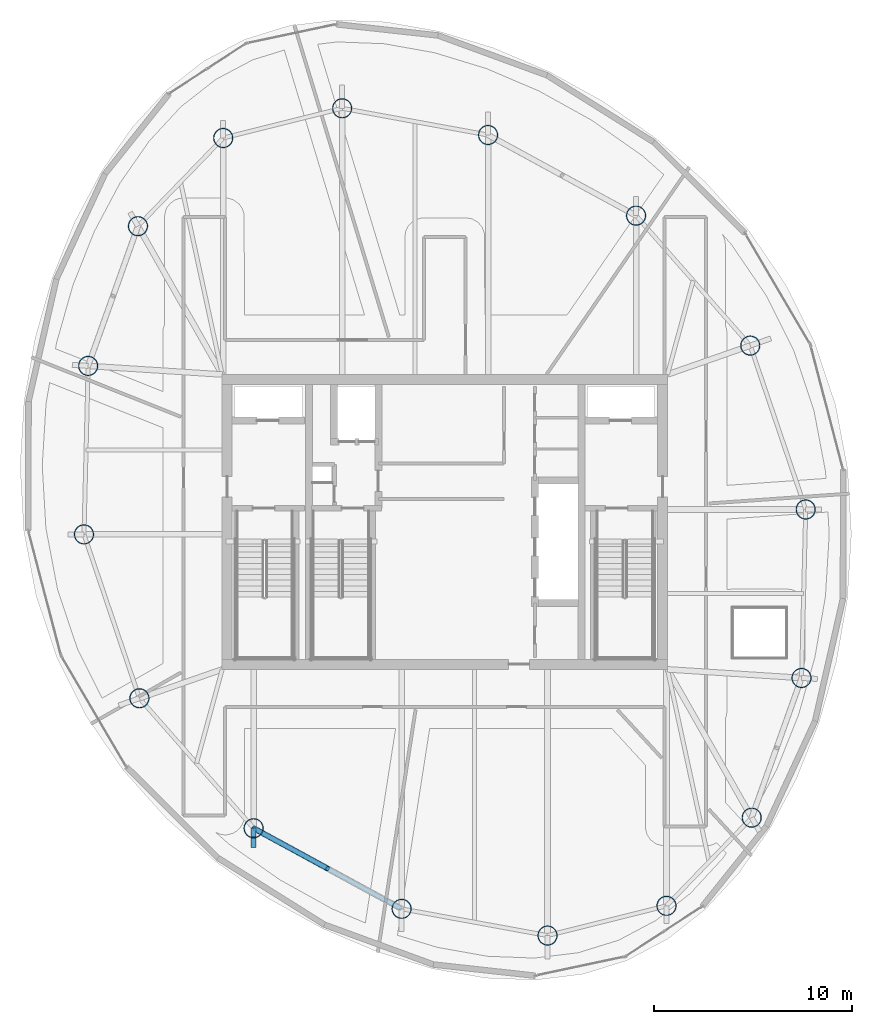
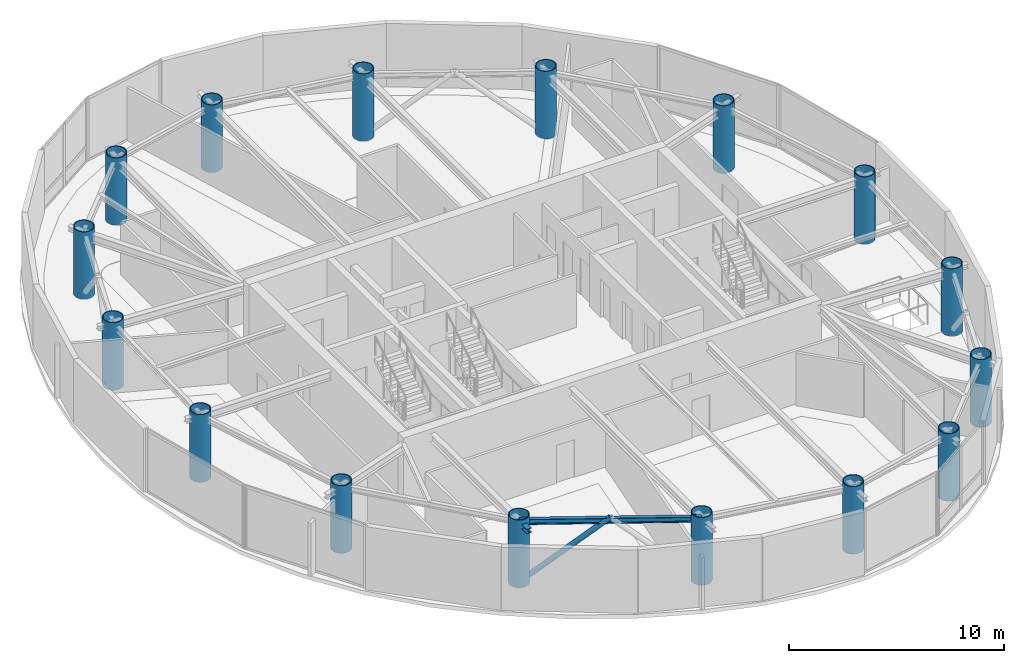
# One storey, part 1 of 20: 16 columns, 2 beams, 1 member.
"""IFC4 building model written with IfcOpenShell, lengths in metres."""

from ifc_helpers import new_model, si_unit, direction, frame, origin, origin_2d, place, context, subcontext, project, spatial, hollow_circle, i_section, extrude, material, material_profile, profile_set, type_object, element, save


model = new_model("IFC4")

# Units and contexts
model_context = context("Model", 3, precision=1e-05, world=origin(), true_north=direction((0.0, 1.0)))
body_context = subcontext(model_context, "Body", "Model", "MODEL_VIEW")
ifc_project = project(units=[si_unit("LENGTHUNIT", "METRE"), si_unit("AREAUNIT", "SQUARE_METRE"), si_unit("VOLUMEUNIT", "CUBIC_METRE"), si_unit("PLANEANGLEUNIT", "RADIAN"), si_unit("MASSUNIT", "GRAM", prefix="KILO")], contexts=[model_context])

# Site, building, storey
site_placement = place(None, origin())
site = spatial("IfcSite", under=ifc_project, at=site_placement, CompositionType="ELEMENT")
building_placement = place(site_placement, origin())
building = spatial("IfcBuilding", under=site, at=building_placement, Name="Bramvorn Convention Spire", CompositionType="ELEMENT")
storey_placement = place(building_placement, frame((0.0, 0.0, 303.64990234375)))
storey = spatial("IfcBuildingStorey", under=building, at=storey_placement, Name="L77", CompositionType="ELEMENT", Elevation=303.64990234375)

# Columns
ifc_material = material(Name="Steel CSA G40.21 Grade 350 (350W)", Category="steel")
ifc_material_profile_1 = material_profile(ifc_material, hollow_circle(Radius=0.5, WallThickness=0.044921875, at=origin_2d()))
ifc_profile_set_1 = profile_set([ifc_material_profile_1], Name="Steel CSA G40.21 Grade 350 (350W) - CFT1000X45")
column_type = type_object("IfcColumnType", Name="COL-CFT1000X45", PredefinedType="COLUMN", material=ifc_profile_set_1)
for number, where, z_axis, x_axis, name in (
    (1, (49.199951171875, 6.60107421875, 0.0), (0.0, 0.0, 1.0), (1.0, 0.0, 0.0), "L77 composite CFT mega-column MC01"),
    (2, (53.50634765625, 11.05615234375, 0.0), (0.0, 0.0, 1.0), (1.0, 0.0, 0.0), "L77 composite CFT mega-column MC02"),
    (3, (56.023681640625, 18.116455078125, 0.0), (0.0, 0.0, 1.0), (1.0, 0.0, 0.0), "L77 composite CFT mega-column MC03"),
    (4, (56.234619140625, 26.62939453125, 0.0), (0.0, 0.0, 1.0), (1.0, 0.0, 0.0), "L77 composite CFT mega-column MC04"),
    (5, (53.4326171875, 34.909912109375, 0.0), (0.0, 0.0, 1.0), (1.0, 0.0, 0.0), "L77 composite CFT mega-column MC05"),
    (6, (47.662353515625, 41.476806640625, 0.0), (0.0, 0.0, 1.0), (1.0, 0.0, 0.0), "L77 composite CFT mega-column MC06"),
    (7, (40.1845703125, 45.55078125, 0.0), (0.0, 0.0, 1.0), (1.0, 0.0, 0.0), "L77 composite CFT mega-column MC07"),
    (8, (32.8115234375, 46.90087890625, 0.0), (0.0, 0.0, 1.0), (1.0, 0.0, 0.0), "L77 composite CFT mega-column MC08"),
    (9, (26.800048828125, 45.39892578125, 0.0), (0.0, 0.0, 1.0), (1.0, 0.0, 0.0), "L77 composite CFT mega-column MC09"),
    (10, (22.49365234375, 40.94384765625, 0.0), (0.0, 0.0, 1.0), (1.0, 0.0, 0.0), "L77 composite CFT mega-column MC10"),
    (11, (19.976318359375, 33.883544921875, 0.0), (0.0, 0.0, 1.0), (1.0, 0.0, 0.0), "L77 composite CFT mega-column MC11"),
    (12, (19.765380859375, 25.37060546875, 0.0), (0.0, 0.0, 1.0), (1.0, 0.0, 0.0), "L77 composite CFT mega-column MC12"),
    (13, (22.5673828125, 17.090087890625, 0.0), (0.0, 0.0, 1.0), (1.0, 0.0, 0.0), "L77 composite CFT mega-column MC13"),
    (14, (28.337646484375, 10.523193359375, 0.0), (0.0, 0.0, 1.0), (1.0, 0.0, 0.0), "L77 composite CFT mega-column MC14"),
    (15, (35.8154296875, 6.44921875, 0.0), (0.0, 0.0, 1.0), (1.0, 0.0, 0.0), "L77 composite CFT mega-column MC15"),
    (16, (43.1884765625, 5.09912109375, 0.0), (0.0, 0.0, 1.0), (1.0, 0.0, 0.0), "L77 composite CFT mega-column MC16"),
):
    element("IfcColumn", number, at=place(storey_placement, frame(where, z_axis=z_axis, x_axis=x_axis)), inside=storey, type_object=column_type, Name=name, PredefinedType="COLUMN", context=body_context, shape_type="SweptSolid", body=[
        extrude(hollow_circle(Radius=0.5, WallThickness=0.044921875, at=origin_2d()), origin(), (0.0, 0.0, 1.0), 3.85009765625),
    ])

# Beams
ifc_material_profile_2 = material_profile(ifc_material, i_section(OverallWidth=0.25390625, OverallDepth=0.2529296875, WebThickness=0.008544921875, FlangeThickness=0.01416015625, FilletRadius=0.011962890625, at=origin_2d()))
ifc_profile_set_2 = profile_set([ifc_material_profile_2], Name="Steel CSA G40.21 Grade 350 (350W) - W250X73")
beam_type_1 = type_object("IfcBeamType", Name="BM-W250X73", PredefinedType="BEAM", material=ifc_profile_set_2)
beam_1_placement = place(storey_placement, frame((28.337646484375, 10.523193359375, 3.4736328125), z_axis=(0.0, -1.0, 0.0), x_axis=(1.0, 0.0, 0.0)))
element("IfcBeam", 17, at=beam_1_placement, inside=storey, type_object=beam_type_1, Name="L77 slab-edge cantilever tip beam MC14", PredefinedType="BEAM", context=body_context, shape_type="SweptSolid", body=[
    extrude(i_section(OverallWidth=0.25390625, OverallDepth=0.2529296875, WebThickness=0.008544921875, FlangeThickness=0.01416015625, FilletRadius=0.011962890625, at=origin_2d()), origin(), (0.0, 0.0, 1.0), 0.964599609375),
])
ifc_material_profile_3 = material_profile(ifc_material, i_section(OverallWidth=0.202880859375, OverallDepth=0.302978515625, WebThickness=0.007568359375, FlangeThickness=0.01318359375, FilletRadius=0.013916015625, at=origin_2d()))
ifc_profile_set_3 = profile_set([ifc_material_profile_3], Name="Steel CSA G40.21 Grade 350 (350W) - W310X60")
beam_type_2 = type_object("IfcBeamType", Name="BM-W310X60", PredefinedType="JOIST", material=ifc_profile_set_3)
beam_2_placement = place(storey_placement, frame((28.337646484375, 10.523193359375, 3.448486328125), z_axis=(0.878133224771, -0.478416178189, 0.0), x_axis=(0.478416178189, 0.878133224771, 0.0)))
element("IfcBeam", 18, at=beam_2_placement, inside=storey, type_object=beam_type_2, Name="L77 mega-column ring beam 14", PredefinedType="JOIST", context=body_context, shape_type="SweptSolid", body=[
    extrude(i_section(OverallWidth=0.202880859375, OverallDepth=0.302978515625, WebThickness=0.007568359375, FlangeThickness=0.01318359375, FilletRadius=0.013916015625, at=origin_2d()), origin(), (0.0, 0.0, 1.0), 8.515625),
])

# Member
ifc_material_profile_4 = material_profile(ifc_material, hollow_circle(Radius=0.136474609375, WallThickness=0.0126953125, at=origin_2d()))
ifc_profile_set_4 = profile_set([ifc_material_profile_4], Name="Steel CSA G40.21 Grade 350 (350W) - CHS273X13")
member_type = type_object("IfcMemberType", Name="MBR-CHS273X13", PredefinedType="BRACE", material=ifc_profile_set_4)
member_placement = place(storey_placement, frame((28.337646484375, 10.523193359375, 0.0), z_axis=(0.670565980608, -0.365341334783, 0.645652363699), x_axis=(0.478426241072, 0.878127742332, 0.0)))
element("IfcMember", 19, at=member_placement, inside=storey, type_object=member_type, Name="L77 perimeter Gothic lancet brace 14A", PredefinedType="BRACE", context=body_context, shape_type="SweptSolid", body=[
    extrude(hollow_circle(Radius=0.136474609375, WallThickness=0.0126953125, at=origin_2d()), origin(), (0.0, 0.0, 1.0), 5.575927734375),
])

save(model, "model.ifc")
